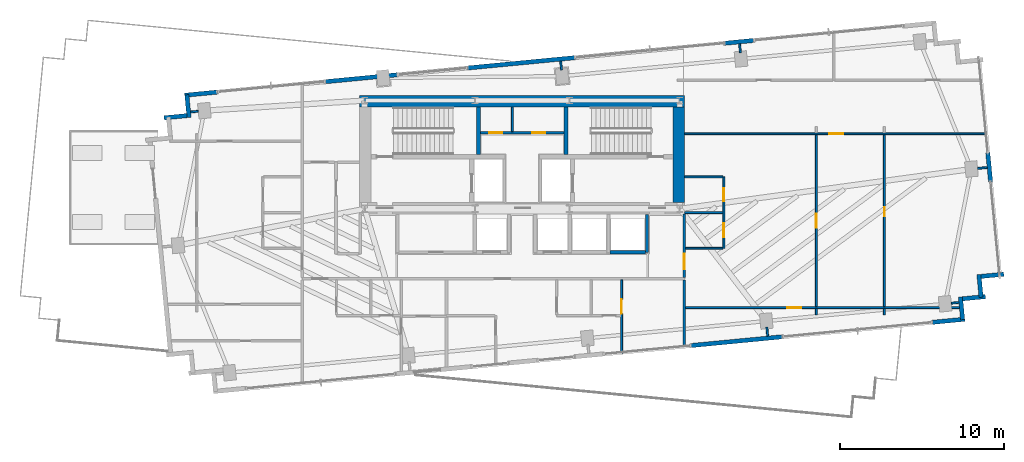
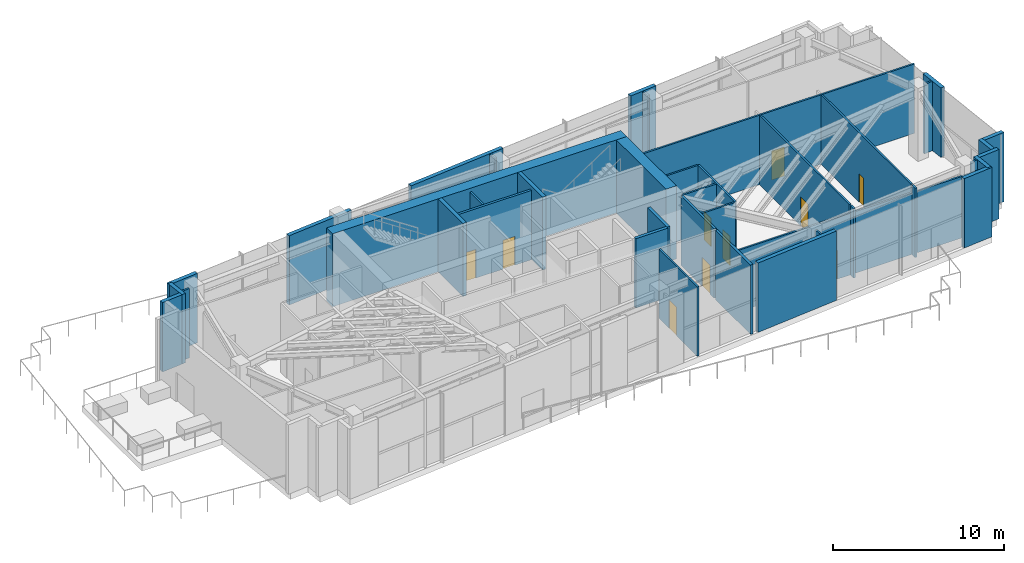
# One storey, part 16 of 21: 40 walls, 10 doors, 10 openings.
"""IFC4 building model written with IfcOpenShell, lengths in metres."""

from ifc_helpers import new_model, si_unit, direction, frame, frame_2d, origin, place, context, subcontext, project, spatial, rectangle, extrude, source, transform, mapped, material, layer, layer_set, type_object, type_shapes, element, fill, save


model = new_model("IFC4")

# Units and contexts
model_context = context("Model", 3, precision=1e-05, world=origin(), true_north=direction((0.0, 1.0)))
body_context = subcontext(model_context, "Body", "Model", "MODEL_VIEW")
ifc_project = project(units=[si_unit("LENGTHUNIT", "METRE"), si_unit("AREAUNIT", "SQUARE_METRE"), si_unit("VOLUMEUNIT", "CUBIC_METRE"), si_unit("PLANEANGLEUNIT", "RADIAN"), si_unit("MASSUNIT", "GRAM", prefix="KILO")], contexts=[model_context])

# Site, building, storey
site_placement = place(None, origin())
site = spatial("IfcSite", under=ifc_project, at=site_placement, CompositionType="ELEMENT")
building_placement = place(site_placement, origin())
building = spatial("IfcBuilding", under=site, at=building_placement, Name="Astriad Promenade Condominiums", CompositionType="ELEMENT")
storey_placement = place(building_placement, frame((0.0, 0.0, 167.800048828125)))
storey = spatial("IfcBuildingStorey", under=building, at=storey_placement, Name="L48", CompositionType="ELEMENT", Elevation=167.800048828125)

# Walls
ifc_material_1 = material(Name="Concrete C60/75", Category="concrete")
ifc_layer_1 = layer(ifc_material_1, 0.699951171875)
ifc_layer_set_1 = layer_set([ifc_layer_1], Name="Concrete C60/75")
wall_type_1 = type_object("IfcWallType", Name="CW-SHEAR-700", PredefinedType="SHEAR", material=ifc_layer_set_1)
wall_1_placement = place(storey_placement, frame((26.10009765625, 23.949951171875, 0.0), z_axis=(0.0, 0.0, 1.0), x_axis=(1.0, 0.0, 0.0)))
element("IfcWall", 1, at=wall_1_placement, inside=storey, type_object=wall_type_1, Name="CW-CORE-N-L48", PredefinedType="SHEAR", context=body_context, shape_type="SweptSolid", body=[
    extrude(rectangle(XDim=19.7998046875, YDim=0.699951171875, at=frame_2d((9.89990234375, 0.0))), origin(), (0.0, 0.0, 1.0), 5.199951171875),
])
wall_2_placement = place(storey_placement, frame((45.550048828125, 17.802001953125, 0.0), z_axis=(0.0, 0.0, 1.0), x_axis=(0.0, 1.0, 0.0)))
element("IfcWall", 2, at=wall_2_placement, inside=storey, type_object=wall_type_1, Name="CW-CORE-E-L48", PredefinedType="SHEAR", context=body_context, shape_type="SweptSolid", body=[
    extrude(rectangle(XDim=5.7958984375, YDim=0.699951171875, at=frame_2d((2.89794921875, 0.0))), origin(), (0.0, 0.0, 1.0), 5.199951171875),
])
ifc_material_2 = material(Name="Concrete C50/60", Category="concrete")
ifc_layer_2 = layer(ifc_material_2, 0.25)
ifc_layer_set_2 = layer_set([ifc_layer_2], Name="Concrete C50/60")
wall_type_2 = type_object("IfcWallType", Name="WALL-CORE-INT-250", PredefinedType="SOLIDWALL", material=ifc_layer_set_2)
for number, where, z_axis, x_axis, name in (
    (3, (33.324951171875, 20.701904296875, 0.0), (0.0, 0.0, 1.0), (0.0, 1.0, 0.0), "CW-ST1-E-L48"),
    (4, (38.675048828125, 20.701904296875, 0.0), (0.0, 0.0, 1.0), (0.0, 1.0, 0.0), "CW-ST2-W-L48"),
):
    element("IfcWall", number, at=place(storey_placement, frame(where, z_axis=z_axis, x_axis=x_axis)), inside=storey, type_object=wall_type_2, Name=name, PredefinedType="SOLIDWALL", context=body_context, shape_type="SweptSolid", body=[
        extrude(rectangle(XDim=2.89599609375, YDim=0.25, at=frame_2d((1.447998046875, 0.0))), origin(), (0.0, 0.0, 1.0), 5.199951171875),
    ])

# Wall, openings, doors
ifc_material_3 = material(Name="Fire-Rated Gypsum Partition")
ifc_layer_3 = layer(ifc_material_3, 0.159912109375)
ifc_layer_set_3 = layer_set([ifc_layer_3], Name="Fire-Rated Gypsum Partition")
wall_type_3 = type_object("IfcWallType", Name="WALL-CORR-160", PredefinedType="PARTITIONING", material=ifc_layer_set_3)
wall_3_placement = place(storey_placement, frame((33.451904296875, 22.030029296875, 0.0), z_axis=(0.0, 0.0, 1.0), x_axis=(1.0, 0.0, 0.0)))
wall_3 = element("IfcWall", 5, at=wall_3_placement, inside=storey, type_object=wall_type_3, Name="CW-AUX-N-L48", PredefinedType="PARTITIONING", context=body_context, shape_type="SweptSolid", body=[
    extrude(rectangle(XDim=5.09619140625, YDim=0.159912109375, at=frame_2d((2.548095703125, 0.0))), origin(), (0.0, 0.0, 1.0), 4.93994140625),
])
opening_1_placement = place(wall_3_placement, frame((0.5380859375, 0.0, 0.0)))
opening_1 = element("IfcOpeningElement", 6, at=opening_1_placement, cuts=wall_3, Name="Opening FD60-SV-080", PredefinedType="OPENING", context=body_context, shape_type="SweptSolid", body=[
    extrude(rectangle(XDim=0.800048828125, YDim=2.050048828125, at=frame_2d((0.39990234375, 1.02490234375))), frame((0.0, 0.08984375, 0.0), z_axis=(0.0, -1.0, 0.0), x_axis=(1.0, 0.0, 0.0)), (0.0, 0.0, 1.0), 0.179931640625),
])
opening_2_placement = place(wall_3_placement, frame((3.157958984375, 0.0, 0.0)))
opening_2 = element("IfcOpeningElement", 7, at=opening_2_placement, cuts=wall_3, Name="Opening FD60-SV-080", PredefinedType="OPENING", context=body_context, shape_type="SweptSolid", body=[
    extrude(rectangle(XDim=0.800048828125, YDim=2.050048828125, at=frame_2d((0.39990234375, 1.02490234375))), frame((0.0, 0.08984375, 0.0), z_axis=(0.0, -1.0, 0.0), x_axis=(1.0, 0.0, 0.0)), (0.0, 0.0, 1.0), 0.179931640625),
])
ifc_material_4 = material(Name="Fire-Rated Riser Closet Door")
door_type_1 = type_object("IfcDoorType", Name="FD60-SV-080", OperationType="NOTDEFINED", PredefinedType="DOOR", material=ifc_material_4)
shared_shape_1 = source(origin(), body_context, "Body", "SweptSolid", [
    extrude(rectangle(XDim=0.800048828125, YDim=2.050048828125, at=frame_2d((0.39990234375, 1.02490234375))), frame((0.0, 0.02490234375, 0.0), z_axis=(0.0, -1.0, 0.0), x_axis=(1.0, 0.0, 0.0)), (0.0, 0.0, 1.0), 0.050048828125),
])
type_shapes(door_type_1, [shared_shape_1])
door_1_placement = place(opening_1_placement, origin())
door_1 = element("IfcDoor", 8, at=door_1_placement, inside=storey, type_object=door_type_1, Name="D-AUX1-L48", OperationType="SINGLE_SWING_LEFT", OverallHeight=2.050048828125, OverallWidth=0.800048828125, PredefinedType="DOOR", context=body_context, shape_type="MappedRepresentation", body=[
    mapped(shared_shape_1, transform((0.0, 0.0, 0.0), scale=1.0)),
])
fill(opening_1, door_1)
door_2_placement = place(opening_2_placement, origin())
door_2 = element("IfcDoor", 9, at=door_2_placement, inside=storey, type_object=door_type_1, Name="D-AUX2-L48", OperationType="SINGLE_SWING_RIGHT", OverallHeight=2.050048828125, OverallWidth=0.800048828125, PredefinedType="DOOR", context=body_context, shape_type="MappedRepresentation", body=[
    mapped(shared_shape_1, transform((0.0, 0.0, 0.0), scale=1.0)),
])
fill(opening_2, door_2)

# Wall
wall_4_placement = place(storey_placement, frame((45.8798828125, 8.98095703125, 0.0), z_axis=(0.0, 0.0, 1.0), x_axis=(0.0, 1.0, 0.0)))
element("IfcWall", 10, at=wall_4_placement, inside=storey, type_object=wall_type_3, Name="PT-COR-E-L48", PredefinedType="PARTITIONING", context=body_context, shape_type="SweptSolid", body=[
    extrude(rectangle(XDim=4.087158203125, YDim=0.159912109375, at=frame_2d((2.04345703125, 0.0))), origin(), (0.0, 0.0, 1.0), 4.93994140625),
])

# Wall, opening, door
wall_5_placement = place(storey_placement, frame((45.8798828125, 13.23193359375, 0.0), z_axis=(0.0, 0.0, 1.0), x_axis=(0.0, 1.0, 0.0)))
wall_5 = element("IfcWall", 11, at=wall_5_placement, inside=storey, type_object=wall_type_3, Name="PT-COR-E-L48-S2", PredefinedType="PARTITIONING", context=body_context, shape_type="SweptSolid", body=[
    extrude(rectangle(XDim=3.865966796875, YDim=0.159912109375, at=frame_2d((1.93310546875, 0.0))), origin(), (0.0, 0.0, 1.0), 4.93994140625),
])
opening_3_placement = place(wall_5_placement, frame((0.492919921875, 0.0, 0.0)))
opening_3 = element("IfcOpeningElement", 12, at=opening_3_placement, cuts=wall_5, Name="Opening FD60-APT-095", PredefinedType="OPENING", context=body_context, shape_type="SweptSolid", body=[
    extrude(rectangle(XDim=0.949951171875, YDim=2.06005859375, at=frame_2d((0.47509765625, 1.030029296875))), frame((0.0, 0.08984375, 0.0), z_axis=(0.0, -1.0, 0.0), x_axis=(1.0, 0.0, 0.0)), (0.0, 0.0, 1.0), 0.179931640625),
])
ifc_material_5 = material(Name="Solid-Core Acoustic Timber Residence Entry Door", Category="wood")
door_type_2 = type_object("IfcDoorType", Name="FD60-APT-095", OperationType="NOTDEFINED", PredefinedType="DOOR", material=ifc_material_5)
shared_shape_2 = source(origin(), body_context, "Body", "SweptSolid", [
    extrude(rectangle(XDim=0.949951171875, YDim=2.06005859375, at=frame_2d((0.47509765625, 1.030029296875))), frame((0.0, 0.02490234375, 0.0), z_axis=(0.0, -1.0, 0.0), x_axis=(1.0, 0.0, 0.0)), (0.0, 0.0, 1.0), 0.050048828125),
])
type_shapes(door_type_2, [shared_shape_2])
door_3_placement = place(opening_3_placement, origin())
door_3 = element("IfcDoor", 13, at=door_3_placement, inside=storey, type_object=door_type_2, Name="D-ENT-L48-E1", OperationType="SINGLE_SWING_LEFT", OverallHeight=2.06005859375, OverallWidth=0.949951171875, PredefinedType="DOOR", context=body_context, shape_type="MappedRepresentation", body=[
    mapped(shared_shape_2, transform((0.0, 0.0, 0.0), scale=1.0)),
])
fill(opening_3, door_3)

# Walls
ifc_material_6 = material(Name="Precast concrete C50/60", Category="concrete")
ifc_layer_4 = layer(ifc_material_6, 0.260009765625)
ifc_layer_set_4 = layer_set([ifc_layer_4], Name="Precast concrete C50/60")
wall_type_4 = type_object("IfcWallType", Name="WALL-EXT-TWR-260", PredefinedType="STANDARD", material=ifc_layer_set_4)
wall_6_placement = place(storey_placement, frame((14.182861328125, 22.947265625, 0.0), z_axis=(0.0, 0.0, 1.0), x_axis=(0.99540614245, 0.095742423056, 0.0)))
element("IfcWall", 14, at=wall_6_placement, inside=storey, type_object=wall_type_4, Name="W-SER-L48-06", PredefinedType="STANDARD", context=body_context, shape_type="SweptSolid", body=[
    extrude(rectangle(XDim=1.394775390625, YDim=0.260009765625, at=frame_2d((0.697265625, 0.0))), origin(), (0.0, 0.0, 1.0), 4.93994140625),
])
wall_7_placement = place(storey_placement, frame((15.6982421875, 22.962646484375, 0.0), z_axis=(0.0, 0.0, 1.0), x_axis=(-0.09589913835, 0.995391056452, 0.0)))
element("IfcWall", 15, at=wall_7_placement, inside=storey, type_object=wall_type_4, Name="W-SER-L48-07", PredefinedType="STANDARD", context=body_context, shape_type="SweptSolid", body=[
    extrude(rectangle(XDim=1.39501953125, YDim=0.260009765625, at=frame_2d((0.697509765625, 0.0))), origin(), (0.0, 0.0, 1.0), 4.93994140625),
])
wall_8_placement = place(storey_placement, frame((15.4365234375, 24.32373046875, 0.0), z_axis=(0.0, 0.0, 1.0), x_axis=(0.995398960025, 0.095817067274, 0.0)))
element("IfcWall", 16, at=wall_8_placement, inside=storey, type_object=wall_type_4, Name="W-SGCOL-L48-N-1", PredefinedType="STANDARD", context=body_context, shape_type="SweptSolid", body=[
    extrude(rectangle(XDim=2.000244140625, YDim=0.260009765625, at=frame_2d((1.0, 0.0))), origin(), (0.0, 0.0, 1.0), 4.93994140625),
])
wall_9_placement = place(storey_placement, frame((23.97705078125, 25.146240234375, 0.0), z_axis=(0.0, 0.0, 1.0), x_axis=(0.99540100208, 0.095795850948, 0.0)))
element("IfcWall", 17, at=wall_9_placement, inside=storey, type_object=wall_type_4, Name="W-SGCOL-L48-N-2", PredefinedType="STANDARD", context=body_context, shape_type="SweptSolid", body=[
    extrude(rectangle(XDim=4.4599609375, YDim=0.260009765625, at=frame_2d((2.22998046875, 0.0))), origin(), (0.0, 0.0, 1.0), 4.93994140625),
])
wall_10_placement = place(storey_placement, frame((32.6669921875, 25.98291015625, 0.0), z_axis=(0.0, 0.0, 1.0), x_axis=(0.995396531125, 0.095842296636, 0.0)))
element("IfcWall", 18, at=wall_10_placement, inside=storey, type_object=wall_type_4, Name="W-SGCOL-L48-N-3", PredefinedType="STANDARD", context=body_context, shape_type="SweptSolid", body=[
    extrude(rectangle(XDim=6.58984375, YDim=0.260009765625, at=frame_2d((3.294921875, 0.0))), origin(), (0.0, 0.0, 1.0), 4.93994140625),
])
for number, where, z_axis, x_axis, name in (
    (19, (48.33447265625, 27.491455078125, 0.0), (0.0, 0.0, 1.0), (0.995391866735, 0.09589072759, 0.0), "W-SGCOL-L48-N-4"),
    (20, (64.366943359375, 20.827392578125, 0.0), (0.0, 0.0, 1.0), (0.09589072759, -0.995391866735, 0.0), "W-SGCOL-L48-E-1"),
):
    element("IfcWall", number, at=place(storey_placement, frame(where, z_axis=z_axis, x_axis=x_axis)), inside=storey, type_object=wall_type_4, Name=name, PredefinedType="STANDARD", context=body_context, shape_type="SweptSolid", body=[
        extrude(rectangle(XDim=1.800048828125, YDim=0.260009765625, at=frame_2d((0.89990234375, 0.0))), origin(), (0.0, 0.0, 1.0), 4.93994140625),
    ])
wall_11_placement = place(storey_placement, frame((65.341796875, 13.416748046875, 0.0), z_axis=(0.0, 0.0, 1.0), x_axis=(-0.99540774648, -0.095725744959, 0.0)))
element("IfcWall", 21, at=wall_11_placement, inside=storey, type_object=wall_type_4, Name="W-SER-L48-14", PredefinedType="STANDARD", context=body_context, shape_type="SweptSolid", body=[
    extrude(rectangle(XDim=1.39501953125, YDim=0.260009765625, at=frame_2d((0.697509765625, 0.0))), origin(), (0.0, 0.0, 1.0), 4.93994140625),
])
wall_12_placement = place(storey_placement, frame((63.826171875, 13.4013671875, 0.0), z_axis=(0.0, 0.0, 1.0), x_axis=(0.095915846097, -0.995389446633, 0.0)))
element("IfcWall", 22, at=wall_12_placement, inside=storey, type_object=wall_type_4, Name="W-SER-L48-15", PredefinedType="STANDARD", context=body_context, shape_type="SweptSolid", body=[
    extrude(rectangle(XDim=1.394775390625, YDim=0.260009765625, at=frame_2d((0.697265625, 0.0))), origin(), (0.0, 0.0, 1.0), 4.93994140625),
])
for number, where, z_axis, x_axis, name in (
    (23, (64.21728515625, 12.052734375, 0.0), (0.0, 0.0, 1.0), (-0.99540774648, -0.095725744959, 0.0), "W-SER-L48-16"),
    (24, (62.701904296875, 12.037353515625, 0.0), (0.0, 0.0, 1.0), (0.095725744959, -0.99540774648, 0.0), "W-SER-L48-17"),
):
    element("IfcWall", number, at=place(storey_placement, frame(where, z_axis=z_axis, x_axis=x_axis)), inside=storey, type_object=wall_type_4, Name=name, PredefinedType="STANDARD", context=body_context, shape_type="SweptSolid", body=[
        extrude(rectangle(XDim=1.39501953125, YDim=0.260009765625, at=frame_2d((0.697509765625, 0.0))), origin(), (0.0, 0.0, 1.0), 4.93994140625),
    ])
wall_13_placement = place(storey_placement, frame((62.96337890625, 10.67626953125, 0.0), z_axis=(0.0, 0.0, 1.0), x_axis=(-0.995397839199, -0.095828710298, 0.0)))
element("IfcWall", 25, at=wall_13_placement, inside=storey, type_object=wall_type_4, Name="W-SGCOL-L48-S-1", PredefinedType="STANDARD", context=body_context, shape_type="SweptSolid", body=[
    extrude(rectangle(XDim=2.0, YDim=0.260009765625, at=frame_2d((1.0, 0.0))), origin(), (0.0, 0.0, 1.0), 4.93994140625),
])
wall_14_placement = place(storey_placement, frame((51.86474609375, 9.607421875, 0.0), z_axis=(0.0, 0.0, 1.0), x_axis=(-0.995397720284, -0.09582994549, 0.0)))
element("IfcWall", 26, at=wall_14_placement, inside=storey, type_object=wall_type_4, Name="W-SGCOL-L48-S-2", PredefinedType="STANDARD", context=body_context, shape_type="SweptSolid", body=[
    extrude(rectangle(XDim=5.6201171875, YDim=0.260009765625, at=frame_2d((2.81005859375, 0.0))), origin(), (0.0, 0.0, 1.0), 4.93994140625),
])
ifc_material_7 = material(Name="Acoustic Metal-Stud Gypsum Partition")
ifc_layer_5 = layer(ifc_material_7, 0.1201171875)
ifc_layer_set_5 = layer_set([ifc_layer_5], Name="Acoustic Metal-Stud Gypsum Partition")
wall_type_5 = type_object("IfcWallType", Name="WALL-PART-120", PredefinedType="PARTITIONING", material=ifc_layer_set_5)
wall_15_placement = place(storey_placement, frame((35.39990234375, 22.112060546875, 0.0), z_axis=(0.0, 0.0, 1.0), x_axis=(0.0, 1.0, 0.0)))
element("IfcWall", 27, at=wall_15_placement, inside=storey, type_object=wall_type_5, Name="CW-AUX-V1-L48", PredefinedType="PARTITIONING", context=body_context, shape_type="SweptSolid", body=[
    extrude(rectangle(XDim=1.48583984375, YDim=0.1201171875, at=frame_2d((0.742919921875, 0.0))), origin(), (0.0, 0.0, 1.0), 4.93994140625),
])

# Wall, opening, door
wall_16_placement = place(storey_placement, frame((42.050048828125, 8.6123046875, 0.0), z_axis=(0.0, 0.0, 1.0), x_axis=(0.0, 1.0, 0.0)))
wall_16 = element("IfcWall", 28, at=wall_16_placement, inside=storey, type_object=wall_type_5, Name="PT-L48-S2-BD1", PredefinedType="PARTITIONING", context=body_context, shape_type="SweptSolid", body=[
    extrude(rectangle(XDim=4.455810546875, YDim=0.1201171875, at=frame_2d((2.22802734375, 0.0))), origin(), (0.0, 0.0, 1.0), 4.93994140625),
])
opening_4_placement = place(wall_16_placement, frame((2.3857421875, 0.0, 0.0)))
opening_4 = element("IfcOpeningElement", 29, at=opening_4_placement, cuts=wall_16, Name="Opening D-INT-090", PredefinedType="OPENING", context=body_context, shape_type="SweptSolid", body=[
    extrude(rectangle(XDim=0.89990234375, YDim=2.050048828125, at=frame_2d((0.449951171875, 1.02490234375))), frame((0.0, 0.070068359375, 0.0), z_axis=(0.0, -1.0, 0.0), x_axis=(1.0, 0.0, 0.0)), (0.0, 0.0, 1.0), 0.14013671875),
])
ifc_material_8 = material(Name="Painted Solid-Core Timber Bedroom Door", Category="wood")
door_type_3 = type_object("IfcDoorType", Name="D-INT-090", OperationType="NOTDEFINED", PredefinedType="DOOR", material=ifc_material_8)
shared_shape_3 = source(origin(), body_context, "Body", "SweptSolid", [
    extrude(rectangle(XDim=0.89990234375, YDim=2.050048828125, at=frame_2d((0.449951171875, 1.02490234375))), frame((0.0, 0.02490234375, 0.0), z_axis=(0.0, -1.0, 0.0), x_axis=(1.0, 0.0, 0.0)), (0.0, 0.0, 1.0), 0.050048828125),
])
type_shapes(door_type_3, [shared_shape_3])
door_4_placement = place(opening_4_placement, origin())
door_4 = element("IfcDoor", 30, at=door_4_placement, inside=storey, type_object=door_type_3, Name="D-BD1-L48-S2", OperationType="SINGLE_SWING_LEFT", OverallHeight=2.050048828125, OverallWidth=0.89990234375, PredefinedType="DOOR", context=body_context, shape_type="MappedRepresentation", body=[
    mapped(shared_shape_3, transform((0.0, 0.0, 0.0), scale=1.0)),
])
fill(opening_4, door_4)

# Wall, openings, doors
wall_17_placement = place(storey_placement, frame((48.280029296875, 15.0, 0.0), z_axis=(0.0, 0.0, 1.0), x_axis=(0.0, 1.0, 0.0)))
wall_17 = element("IfcWall", 31, at=wall_17_placement, inside=storey, type_object=wall_type_5, Name="PT-L48-E1-PV", PredefinedType="PARTITIONING", context=body_context, shape_type="SweptSolid", body=[
    extrude(rectangle(XDim=4.35009765625, YDim=0.1201171875, at=frame_2d((2.175048828125, 0.0))), origin(), (0.0, 0.0, 1.0), 4.93994140625),
])
opening_5_placement = place(wall_17_placement, frame((0.662109375, 0.0, 0.0)))
opening_5 = element("IfcOpeningElement", 32, at=opening_5_placement, cuts=wall_17, Name="Opening D-INT-085", PredefinedType="OPENING", context=body_context, shape_type="SweptSolid", body=[
    extrude(rectangle(XDim=0.85009765625, YDim=2.050048828125, at=frame_2d((0.425048828125, 1.02490234375))), frame((0.0, 0.070068359375, 0.0), z_axis=(0.0, -1.0, 0.0), x_axis=(1.0, 0.0, 0.0)), (0.0, 0.0, 1.0), 0.14013671875),
])
opening_6_placement = place(wall_17_placement, frame((2.863037109375, 0.0, 0.0)))
opening_6 = element("IfcOpeningElement", 33, at=opening_6_placement, cuts=wall_17, Name="Opening D-WET-080", PredefinedType="OPENING", context=body_context, shape_type="SweptSolid", body=[
    extrude(rectangle(XDim=0.800048828125, YDim=2.02001953125, at=frame_2d((0.39990234375, 1.010009765625))), frame((0.0, 0.070068359375, 0.0), z_axis=(0.0, -1.0, 0.0), x_axis=(1.0, 0.0, 0.0)), (0.0, 0.0, 1.0), 0.14013671875),
])
ifc_material_9 = material(Name="Moisture-Resistant Timber Bathroom Door", Category="wood")
door_type_4 = type_object("IfcDoorType", Name="D-WET-080", OperationType="NOTDEFINED", PredefinedType="DOOR", material=ifc_material_9)
shared_shape_4 = source(origin(), body_context, "Body", "SweptSolid", [
    extrude(rectangle(XDim=0.800048828125, YDim=2.02001953125, at=frame_2d((0.39990234375, 1.010009765625))), frame((0.0, 0.02490234375, 0.0), z_axis=(0.0, -1.0, 0.0), x_axis=(1.0, 0.0, 0.0)), (0.0, 0.0, 1.0), 0.050048828125),
])
type_shapes(door_type_4, [shared_shape_4])
door_5_placement = place(opening_6_placement, origin())
door_5 = element("IfcDoor", 34, at=door_5_placement, inside=storey, type_object=door_type_4, Name="D-BTH-L48-E1", OperationType="SINGLE_SWING_LEFT", OverallHeight=2.02001953125, OverallWidth=0.800048828125, PredefinedType="DOOR", context=body_context, shape_type="MappedRepresentation", body=[
    mapped(shared_shape_4, transform((0.0, 0.0, 0.0), scale=1.0)),
])
fill(opening_6, door_5)
ifc_material_10 = material(Name="Painted Solid-Core Timber Room Door", Category="wood")
door_type_5 = type_object("IfcDoorType", Name="D-INT-085", OperationType="NOTDEFINED", PredefinedType="DOOR", material=ifc_material_10)
shared_shape_5 = source(origin(), body_context, "Body", "SweptSolid", [
    extrude(rectangle(XDim=0.85009765625, YDim=2.050048828125, at=frame_2d((0.425048828125, 1.02490234375))), frame((0.0, 0.02490234375, 0.0), z_axis=(0.0, -1.0, 0.0), x_axis=(1.0, 0.0, 0.0)), (0.0, 0.0, 1.0), 0.050048828125),
])
type_shapes(door_type_5, [shared_shape_5])
door_6_placement = place(opening_5_placement, origin())
door_6 = element("IfcDoor", 35, at=door_6_placement, inside=storey, type_object=door_type_5, Name="D-KIT-L48-E1", OperationType="SINGLE_SWING_RIGHT", OverallHeight=2.050048828125, OverallWidth=0.85009765625, PredefinedType="DOOR", context=body_context, shape_type="MappedRepresentation", body=[
    mapped(shared_shape_5, transform((0.0, 0.0, 0.0), scale=1.0)),
])
fill(opening_5, door_6)

# Walls
wall_18_placement = place(storey_placement, frame((45.89990234375, 17.175048828125, 0.0), z_axis=(0.0, 0.0, 1.0), x_axis=(1.0, 0.0, 0.0)))
element("IfcWall", 36, at=wall_18_placement, inside=storey, type_object=wall_type_5, Name="PT-L48-E1-PM", PredefinedType="PARTITIONING", context=body_context, shape_type="SweptSolid", body=[
    extrude(rectangle(XDim=2.318115234375, YDim=0.1201171875, at=frame_2d((1.1591796875, 0.0))), origin(), (0.0, 0.0, 1.0), 4.93994140625),
])
wall_19_placement = place(storey_placement, frame((45.9619140625, 15.0, 0.0), z_axis=(0.0, 0.0, 1.0), x_axis=(1.0, 0.0, 0.0)))
element("IfcWall", 37, at=wall_19_placement, inside=storey, type_object=wall_type_5, Name="PT-L48-E1-PS", PredefinedType="PARTITIONING", context=body_context, shape_type="SweptSolid", body=[
    extrude(rectangle(XDim=2.256103515625, YDim=0.1201171875, at=frame_2d((1.1279296875, 0.0))), origin(), (0.0, 0.0, 1.0), 4.93994140625),
])
wall_20_placement = place(storey_placement, frame((45.902099609375, 19.35009765625, 0.0), z_axis=(0.0, 0.0, 1.0), x_axis=(1.0, 0.0, 0.0)))
element("IfcWall", 38, at=wall_20_placement, inside=storey, type_object=wall_type_5, Name="PT-L48-E1-PN", PredefinedType="PARTITIONING", context=body_context, shape_type="SweptSolid", body=[
    extrude(rectangle(XDim=2.31591796875, YDim=0.1201171875, at=frame_2d((1.157958984375, 0.0))), origin(), (0.0, 0.0, 1.0), 4.93994140625),
])

# Wall, opening, door
wall_21_placement = place(storey_placement, frame((45.902099609375, 21.97705078125, 0.0), z_axis=(0.0, 0.0, 1.0), x_axis=(1.0, 0.0, 0.0)))
wall_21 = element("IfcWall", 39, at=wall_21_placement, inside=storey, type_object=wall_type_5, Name="PT-L48-E1-WDN1", PredefinedType="PARTITIONING", context=body_context, shape_type="SweptSolid", body=[
    extrude(rectangle(XDim=18.404296875, YDim=0.1201171875, at=frame_2d((9.2021484375, 0.0))), origin(), (0.0, 0.0, 1.0), 4.93994140625),
])
opening_7_placement = place(wall_21_placement, frame((8.81298828125, 0.0, 0.0)))
opening_7 = element("IfcOpeningElement", 40, at=opening_7_placement, cuts=wall_21, Name="Opening D-INT-085", PredefinedType="OPENING", context=body_context, shape_type="SweptSolid", body=[
    extrude(rectangle(XDim=0.85009765625, YDim=2.050048828125, at=frame_2d((0.425048828125, 1.02490234375))), frame((0.0, 0.070068359375, 0.0), z_axis=(0.0, -1.0, 0.0), x_axis=(1.0, 0.0, 0.0)), (0.0, 0.0, 1.0), 0.14013671875),
])
door_7_placement = place(opening_7_placement, origin())
door_7 = element("IfcDoor", 41, at=door_7_placement, inside=storey, type_object=door_type_5, Name="D-WDN1-L48-E1", OperationType="SINGLE_SWING_RIGHT", OverallHeight=2.050048828125, OverallWidth=0.85009765625, PredefinedType="DOOR", context=body_context, shape_type="MappedRepresentation", body=[
    mapped(shared_shape_5, transform((0.0, 0.0, 0.0), scale=1.0)),
])
fill(opening_7, door_7)

wall_22_placement = place(storey_placement, frame((45.9619140625, 11.3779296875, 0.0), z_axis=(0.0, 0.0, 1.0), x_axis=(1.0, 0.0, 0.0)))
wall_22 = element("IfcWall", 42, at=wall_22_placement, inside=storey, type_object=wall_type_5, Name="PT-L48-E1-WDS2", PredefinedType="PARTITIONING", context=body_context, shape_type="SweptSolid", body=[
    extrude(rectangle(XDim=16.6708984375, YDim=0.1201171875, at=frame_2d((8.33544921875, 0.0))), origin(), (0.0, 0.0, 1.0), 4.382568359375),
])
opening_8_placement = place(wall_22_placement, frame((6.18603515625, 0.0, 0.0)))
opening_8 = element("IfcOpeningElement", 43, at=opening_8_placement, cuts=wall_22, Name="Opening D-INT-085", PredefinedType="OPENING", context=body_context, shape_type="SweptSolid", body=[
    extrude(rectangle(XDim=0.85009765625, YDim=2.050048828125, at=frame_2d((0.425048828125, 1.02490234375))), frame((0.0, 0.070068359375, 0.0), z_axis=(0.0, -1.0, 0.0), x_axis=(1.0, 0.0, 0.0)), (0.0, 0.0, 1.0), 0.14013671875),
])
door_8_placement = place(opening_8_placement, origin())
door_8 = element("IfcDoor", 44, at=door_8_placement, inside=storey, type_object=door_type_5, Name="D-WDS2-L48-E1", OperationType="SINGLE_SWING_LEFT", OverallHeight=2.050048828125, OverallWidth=0.85009765625, PredefinedType="DOOR", context=body_context, shape_type="MappedRepresentation", body=[
    mapped(shared_shape_5, transform((0.0, 0.0, 0.0), scale=1.0)),
])
fill(opening_8, door_8)

# Wall
wall_23_placement = place(storey_placement, frame((58.070068359375, 10.93798828125, 0.0), z_axis=(0.0, 0.0, 1.0), x_axis=(0.0, 1.0, 0.0)))
element("IfcWall", 45, at=wall_23_placement, inside=storey, type_object=wall_type_5, Name="PT-L48-E1-WDV3", PredefinedType="PARTITIONING", context=body_context, shape_type="SweptSolid", body=[
    extrude(rectangle(XDim=0.3779296875, YDim=0.1201171875, at=frame_2d((0.18896484375, 0.0))), origin(), (0.0, 0.0, 1.0), 4.93994140625),
])

# Wall, opening, door
wall_24_placement = place(storey_placement, frame((58.070068359375, 11.43994140625, 0.0), z_axis=(0.0, 0.0, 1.0), x_axis=(0.0, 1.0, 0.0)))
wall_24 = element("IfcWall", 46, at=wall_24_placement, inside=storey, type_object=wall_type_5, Name="PT-L48-E1-WDV3-S2", PredefinedType="PARTITIONING", context=body_context, shape_type="SweptSolid", body=[
    extrude(rectangle(XDim=10.47509765625, YDim=0.1201171875, at=frame_2d((5.237548828125, 0.0))), origin(), (0.0, 0.0, 1.0), 4.93994140625),
])
opening_9_placement = place(wall_24_placement, frame((5.501953125, 0.0, 0.0)))
opening_9 = element("IfcOpeningElement", 47, at=opening_9_placement, cuts=wall_24, Name="Opening D-AC-055", PredefinedType="OPENING", context=body_context, shape_type="SweptSolid", body=[
    extrude(rectangle(XDim=0.550048828125, YDim=2.0, at=frame_2d((0.27490234375, 1.0))), frame((0.0, 0.070068359375, 0.0), z_axis=(0.0, -1.0, 0.0), x_axis=(1.0, 0.0, 0.0)), (0.0, 0.0, 1.0), 0.14013671875),
])
ifc_material_11 = material(Name="Painted Timber Access Door", Category="wood")
door_type_6 = type_object("IfcDoorType", Name="D-AC-055", OperationType="NOTDEFINED", PredefinedType="DOOR", material=ifc_material_11)
shared_shape_6 = source(origin(), body_context, "Body", "SweptSolid", [
    extrude(rectangle(XDim=0.550048828125, YDim=2.0, at=frame_2d((0.27490234375, 1.0))), frame((0.0, 0.02490234375, 0.0), z_axis=(0.0, -1.0, 0.0), x_axis=(1.0, 0.0, 0.0)), (0.0, 0.0, 1.0), 0.050048828125),
])
type_shapes(door_type_6, [shared_shape_6])
door_9_placement = place(opening_9_placement, origin())
door_9 = element("IfcDoor", 48, at=door_9_placement, inside=storey, type_object=door_type_6, Name="D-WDV3-L48-E1", OperationType="SINGLE_SWING_RIGHT", OverallHeight=2.0, OverallWidth=0.550048828125, PredefinedType="DOOR", context=body_context, shape_type="MappedRepresentation", body=[
    mapped(shared_shape_6, transform((0.0, 0.0, 0.0), scale=1.0)),
])
fill(opening_9, door_9)

# Wall
wall_25_placement = place(storey_placement, frame((53.923095703125, 10.93798828125, 0.0), z_axis=(0.0, 0.0, 1.0), x_axis=(0.0, 1.0, 0.0)))
element("IfcWall", 49, at=wall_25_placement, inside=storey, type_object=wall_type_5, Name="PT-L48-E1-WDV4", PredefinedType="PARTITIONING", context=body_context, shape_type="SweptSolid", body=[
    extrude(rectangle(XDim=0.3779296875, YDim=0.1201171875, at=frame_2d((0.18896484375, 0.0))), origin(), (0.0, 0.0, 1.0), 4.93994140625),
])

# Wall, opening, door
wall_26_placement = place(storey_placement, frame((53.923095703125, 11.43994140625, 0.0), z_axis=(0.0, 0.0, 1.0), x_axis=(0.0, 1.0, 0.0)))
wall_26 = element("IfcWall", 50, at=wall_26_placement, inside=storey, type_object=wall_type_5, Name="PT-L48-E1-WDV4-S2", PredefinedType="PARTITIONING", context=body_context, shape_type="SweptSolid", body=[
    extrude(rectangle(XDim=10.47509765625, YDim=0.1201171875, at=frame_2d((5.237548828125, 0.0))), origin(), (0.0, 0.0, 1.0), 4.93994140625),
])
opening_10_placement = place(wall_26_placement, frame((4.81201171875, 0.0, 0.0)))
opening_10 = element("IfcOpeningElement", 51, at=opening_10_placement, cuts=wall_26, Name="Opening D-INT-085", PredefinedType="OPENING", context=body_context, shape_type="SweptSolid", body=[
    extrude(rectangle(XDim=0.85009765625, YDim=2.050048828125, at=frame_2d((0.425048828125, 1.02490234375))), frame((0.0, 0.070068359375, 0.0), z_axis=(0.0, -1.0, 0.0), x_axis=(1.0, 0.0, 0.0)), (0.0, 0.0, 1.0), 0.14013671875),
])
door_10_placement = place(opening_10_placement, origin())
door_10 = element("IfcDoor", 52, at=door_10_placement, inside=storey, type_object=door_type_5, Name="D-WDV4-L48-E1", OperationType="SINGLE_SWING_LEFT", OverallHeight=2.050048828125, OverallWidth=0.85009765625, PredefinedType="DOOR", context=body_context, shape_type="MappedRepresentation", body=[
    mapped(shared_shape_5, transform((0.0, 0.0, 0.0), scale=1.0)),
])
fill(opening_10, door_10)

# Walls
wall_27_placement = place(storey_placement, frame((50.90478515625, 10.18798828125, 0.0), z_axis=(0.0, 0.0, 1.0), x_axis=(0.095772948675, -0.995403205893, 0.0)))
element("IfcWall", 53, at=wall_27_placement, inside=storey, type_object=wall_type_5, Name="PT-PIL-L48-PC04-11", PredefinedType="PARTITIONING", context=body_context, shape_type="SweptSolid", body=[
    extrude(rectangle(XDim=0.537841796875, YDim=0.1201171875, at=frame_2d((0.26904296875, 0.0))), origin(), (0.0, 0.0, 1.0), 4.93994140625),
])
for number, where, z_axis, x_axis, name in (
    (54, (62.146240234375, 11.65234375, 0.0), (0.0, 0.0, 1.0), (0.995384576284, 0.09596637586, 0.0), "PT-PIL-L48-PC05-12"),
    (55, (16.25390625, 23.34765625, 0.0), (0.0, 0.0, 1.0), (-0.995384576284, -0.09596637586, 0.0), "PT-PIL-L48-PC06-13"),
):
    element("IfcWall", number, at=place(storey_placement, frame(where, z_axis=z_axis, x_axis=x_axis)), inside=storey, type_object=wall_type_5, Name=name, PredefinedType="PARTITIONING", context=body_context, shape_type="SweptSolid", body=[
        extrude(rectangle(XDim=0.4580078125, YDim=0.1201171875, at=frame_2d((0.22900390625, 0.0))), origin(), (0.0, 0.0, 1.0), 4.93994140625),
    ])
for number, where, z_axis, x_axis, name in (
    (56, (38.39501953125, 25.861328125, 0.0), (0.0, 0.0, 1.0), (-0.096222656154, 0.995359834654, 0.0), "PT-PIL-L48-PC08-15"),
    (57, (49.29443359375, 26.910888671875, 0.0), (0.0, 0.0, 1.0), (-0.095772948675, 0.995403205893, 0.0), "PT-PIL-L48-PC09-16"),
):
    element("IfcWall", number, at=place(storey_placement, frame(where, z_axis=z_axis, x_axis=x_axis)), inside=storey, type_object=wall_type_5, Name=name, PredefinedType="PARTITIONING", context=body_context, shape_type="SweptSolid", body=[
        extrude(rectangle(XDim=0.537841796875, YDim=0.1201171875, at=frame_2d((0.26904296875, 0.0))), origin(), (0.0, 0.0, 1.0), 4.93994140625),
    ])
wall_28_placement = place(storey_placement, frame((63.74658203125, 19.863525390625, 0.0), z_axis=(0.0, 0.0, 1.0), x_axis=(0.995390432481, 0.095905614674, 0.0)))
element("IfcWall", 58, at=wall_28_placement, inside=storey, type_object=wall_type_5, Name="PT-PIL-L48-PC12-19", PredefinedType="PARTITIONING", context=body_context, shape_type="SweptSolid", body=[
    extrude(rectangle(XDim=0.577880859375, YDim=0.1201171875, at=frame_2d((0.2890625, 0.0))), origin(), (0.0, 0.0, 1.0), 4.93994140625),
])
ifc_material_12 = material(Name="Gypsum Shaftliner Assembly")
ifc_layer_6 = layer(ifc_material_12, 0.199951171875)
ifc_layer_set_6 = layer_set([ifc_layer_6], Name="Gypsum Shaftliner Assembly")
wall_type_6 = type_object("IfcWallType", Name="WALL-SHAFT-200", PredefinedType="PARTITIONING", material=ifc_layer_set_6)
wall_29_placement = place(storey_placement, frame((43.60009765625, 14.75, 0.0), z_axis=(0.0, 0.0, 1.0), x_axis=(0.0, 1.0, 0.0)))
element("IfcWall", 59, at=wall_29_placement, inside=storey, type_object=wall_type_6, Name="PL-E-OUT-L48", PredefinedType="PARTITIONING", context=body_context, shape_type="SweptSolid", body=[
    extrude(rectangle(XDim=2.300048828125, YDim=0.199951171875, at=frame_2d((1.14990234375, 0.0))), origin(), (0.0, 0.0, 1.0), 4.93994140625),
])
wall_30_placement = place(storey_placement, frame((41.35205078125, 14.75, 0.0), z_axis=(0.0, 0.0, 1.0), x_axis=(1.0, 0.0, 0.0)))
element("IfcWall", 60, at=wall_30_placement, inside=storey, type_object=wall_type_6, Name="PL-H-FRT-L48-S2", PredefinedType="PARTITIONING", context=body_context, shape_type="SweptSolid", body=[
    extrude(rectangle(XDim=2.14599609375, YDim=0.199951171875, at=frame_2d((1.072998046875, 0.0))), origin(), (0.0, 0.0, 1.0), 4.93994140625),
])

save(model, "model.ifc")
